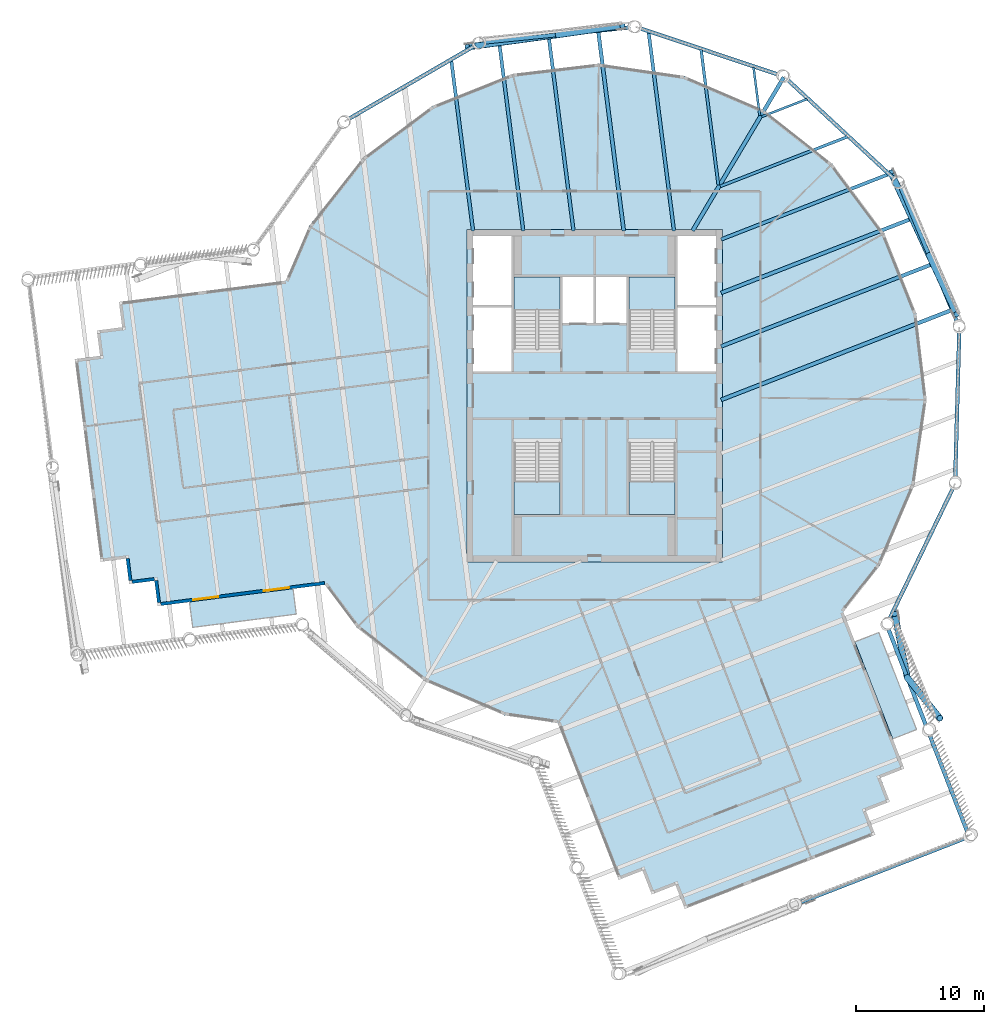
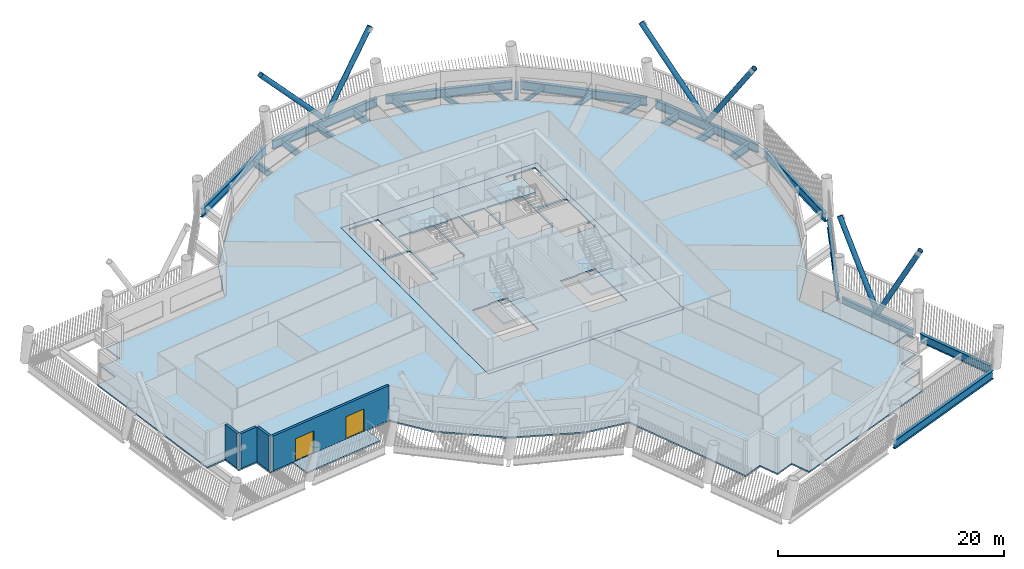
# One storey, part 2 of 20: 24 beams, 8 slabs, 6 members, 4 walls, 2 doors, 2 openings, 4 elements without a shape of their own.
"""IFC4 building model written with IfcOpenShell, lengths in metres."""

from ifc_helpers import new_model, si_unit, direction, frame, frame_2d, origin, origin_2d, place, context, subcontext, project, spatial, polyline, rectangle, hollow_circle, i_section, outline, extrude, material, layer, layer_set, material_profile, profile_set, type_object, element, fill, aggregate, save


model = new_model("IFC4")

# Units and contexts
model_context = context("Model", 3, precision=1e-05, world=origin(), true_north=direction((0.0, 1.0)))
body_context = subcontext(model_context, "Body", "Model", "MODEL_VIEW")
ifc_project = project(units=[si_unit("LENGTHUNIT", "METRE"), si_unit("AREAUNIT", "SQUARE_METRE"), si_unit("VOLUMEUNIT", "CUBIC_METRE"), si_unit("PLANEANGLEUNIT", "RADIAN"), si_unit("MASSUNIT", "GRAM", prefix="KILO")], contexts=[model_context])

# Site, building, storey
site_placement = place(None, origin())
site = spatial("IfcSite", under=ifc_project, at=site_placement, CompositionType="ELEMENT")
building_placement = place(site_placement, origin())
building = spatial("IfcBuilding", under=site, at=building_placement, Name="Tarsis Ring Headquarters", CompositionType="ELEMENT")
storey_placement = place(building_placement, frame((0.0, 0.0, 315.800048828125)))
storey = spatial("IfcBuildingStorey", under=building, at=storey_placement, Name="L74", CompositionType="ELEMENT", Elevation=315.800048828125)

# Beams
ifc_material_1 = material(Name="Structural steel S355", Category="steel")
ifc_material_profile_1 = material_profile(ifc_material_1, i_section(OverallWidth=0.177734375, OverallDepth=0.406494140625, WebThickness=0.0078125, FlangeThickness=0.0126953125, at=origin_2d()), Name="W16x40")
ifc_profile_set_1 = profile_set([ifc_material_profile_1], Name="Structural steel S355")
beam_type_1 = type_object("IfcBeamType", Name="FB Floor beam W16x40", PredefinedType="JOIST", material=ifc_profile_set_1)
beam_1_placement = place(storey_placement, frame((13.08544921875, 21.837890625, -0.36328125), z_axis=(0.931805856967, 0.362957084133, 0.0), x_axis=(-0.362957084133, 0.931805856967, 0.0)))
element("IfcBeam", 1, at=beam_1_placement, inside=storey, type_object=beam_type_1, Name="Floor beam FB1", PredefinedType="JOIST", context=body_context, shape_type="SweptSolid", body=[
    extrude(i_section(OverallWidth=0.177734375, OverallDepth=0.406494140625, WebThickness=0.0078125, FlangeThickness=0.0126953125, at=origin_2d()), origin(), (0.0, 0.0, 1.0), 3.80517578125),
])
beam_2_placement = place(storey_placement, frame((12.442626953125, 25.7080078125, -0.36328125), z_axis=(0.126711133056, -0.991939659838, 0.0), x_axis=(0.991939659838, 0.126711133056, 0.0)))
element("IfcBeam", 2, at=beam_2_placement, inside=storey, type_object=beam_type_1, Name="Floor beam FB1", PredefinedType="JOIST", context=body_context, shape_type="SweptSolid", body=[
    extrude(i_section(OverallWidth=0.177734375, OverallDepth=0.406494140625, WebThickness=0.0078125, FlangeThickness=0.0126953125, at=origin_2d()), origin(), (0.0, 0.0, 1.0), 3.805419921875),
])
ifc_material_profile_2 = material_profile(ifc_material_1, i_section(OverallWidth=0.228271484375, OverallDepth=0.607177734375, WebThickness=0.01123046875, FlangeThickness=0.017333984375, at=origin_2d()), Name="W24x76")
ifc_profile_set_2 = profile_set([ifc_material_profile_2], Name="Structural steel S355")
beam_type_2 = type_object("IfcBeamType", Name="FB Floor beam W24x76", PredefinedType="JOIST", material=ifc_profile_set_2)
for number, where, z_axis, x_axis, name in (
    (3, (9.849365234375, 16.392333984375, -0.463623046875), (0.931821451107, 0.362917047349, 0.0), (-0.362917047349, 0.931821451107, 0.0), "Floor beam FB4"),
    (4, (8.3349609375, 27.086181640625, -0.463623046875), (0.126700292366, -0.991941044576, 0.0), (0.991941044576, 0.126700292366, 0.0), "Floor beam FB4"),
):
    element("IfcBeam", number, at=place(storey_placement, frame(where, z_axis=z_axis, x_axis=x_axis)), inside=storey, type_object=beam_type_2, Name=name, PredefinedType="JOIST", context=body_context, shape_type="SweptSolid", body=[
        extrude(i_section(OverallWidth=0.228271484375, OverallDepth=0.607177734375, WebThickness=0.01123046875, FlangeThickness=0.017333984375, at=origin_2d()), origin(), (0.0, 0.0, 1.0), 10.684814453125),
    ])
ifc_material_profile_3 = material_profile(ifc_material_1, i_section(OverallWidth=0.2666015625, OverallDepth=0.7568359375, WebThickness=0.013916015625, FlangeThickness=0.019287109375, at=origin_2d()), Name="W30x108")
ifc_profile_set_3 = profile_set([ifc_material_profile_3], Name="Structural steel S355")
beam_type_3 = type_object("IfcBeamType", Name="FB Floor beam W30x108", PredefinedType="JOIST", material=ifc_profile_set_3)
beam_3_placement = place(storey_placement, frame((9.90673828125, 12.229248046875, -0.53857421875), z_axis=(0.931817749445, 0.36292655155, 0.0), x_axis=(-0.36292655155, 0.931817749445, 0.0)))
element("IfcBeam", 5, at=beam_3_placement, inside=storey, type_object=beam_type_3, Name="Floor beam FB6", PredefinedType="JOIST", context=body_context, shape_type="SweptSolid", body=[
    extrude(i_section(OverallWidth=0.2666015625, OverallDepth=0.7568359375, WebThickness=0.013916015625, FlangeThickness=0.019287109375, at=origin_2d()), origin(), (0.0, 0.0, 1.0), 14.02978515625),
])
beam_4_placement = place(storey_placement, frame((4.22705078125, 28.464599609375, -0.53857421875), z_axis=(0.126721143473, -0.991938381048, 0.0), x_axis=(0.991938381048, 0.126721143473, 0.0)))
element("IfcBeam", 6, at=beam_4_placement, inside=storey, type_object=beam_type_3, Name="Floor beam FB6", PredefinedType="JOIST", context=body_context, shape_type="SweptSolid", body=[
    extrude(i_section(OverallWidth=0.2666015625, OverallDepth=0.7568359375, WebThickness=0.013916015625, FlangeThickness=0.019287109375, at=origin_2d()), origin(), (0.0, 0.0, 1.0), 15.690185546875),
])
beam_5_placement = place(storey_placement, frame((-3.592529296875, 28.12158203125, -0.53857421875), z_axis=(0.126728817468, -0.991937400657, 0.0), x_axis=(0.991937400657, 0.126728817468, 0.0)))
element("IfcBeam", 7, at=beam_5_placement, inside=storey, type_object=beam_type_3, Name="Floor beam FB6", PredefinedType="JOIST", context=body_context, shape_type="SweptSolid", body=[
    extrude(i_section(OverallWidth=0.2666015625, OverallDepth=0.7568359375, WebThickness=0.013916015625, FlangeThickness=0.019287109375, at=origin_2d()), origin(), (0.0, 0.0, 1.0), 15.344482421875),
])
beam_6_placement = place(storey_placement, frame((-7.473876953125, 27.727783203125, -0.53857421875), z_axis=(0.126713953109, -0.991939299598, 0.0), x_axis=(0.991939299598, 0.126713953109, 0.0)))
element("IfcBeam", 8, at=beam_6_placement, inside=storey, type_object=beam_type_3, Name="Floor beam FB6", PredefinedType="JOIST", context=body_context, shape_type="SweptSolid", body=[
    extrude(i_section(OverallWidth=0.2666015625, OverallDepth=0.7568359375, WebThickness=0.013916015625, FlangeThickness=0.019287109375, at=origin_2d()), origin(), (0.0, 0.0, 1.0), 14.947509765625),
])
beam_7_placement = place(storey_placement, frame((-11.216796875, 26.249267578125, -0.53857421875), z_axis=(0.126724941967, -0.99193789578, 0.0), x_axis=(0.99193789578, 0.126724941967, 0.0)))
element("IfcBeam", 9, at=beam_7_placement, inside=storey, type_object=beam_type_3, Name="Floor beam FB6", PredefinedType="JOIST", context=body_context, shape_type="SweptSolid", body=[
    extrude(i_section(OverallWidth=0.2666015625, OverallDepth=0.7568359375, WebThickness=0.013916015625, FlangeThickness=0.019287109375, at=origin_2d()), origin(), (0.0, 0.0, 1.0), 13.456787109375),
])
ifc_material_profile_4 = material_profile(ifc_material_1, i_section(OverallWidth=0.2919921875, OverallDepth=0.835693359375, WebThickness=0.013916015625, FlangeThickness=0.018798828125, at=origin_2d()), Name="W33x118")
ifc_profile_set_4 = profile_set([ifc_material_profile_4], Name="Structural steel S355")
beam_type_4 = type_object("IfcBeamType", Name="FB Floor beam W33x118", PredefinedType="JOIST", material=ifc_profile_set_4)
beam_8_placement = place(storey_placement, frame((9.90673828125, 8.0439453125, -0.577880859375), z_axis=(0.931817559804, 0.362927038453, 0.0), x_axis=(-0.362927038453, 0.931817559804, 0.0)))
element("IfcBeam", 10, at=beam_8_placement, inside=storey, type_object=beam_type_4, Name="Floor beam FB7", PredefinedType="JOIST", context=body_context, shape_type="SweptSolid", body=[
    extrude(i_section(OverallWidth=0.2919921875, OverallDepth=0.835693359375, WebThickness=0.013916015625, FlangeThickness=0.018798828125, at=origin_2d()), origin(), (0.0, 0.0, 1.0), 16.098388671875),
])
beam_9_placement = place(storey_placement, frame((9.90673828125, 3.858642578125, -0.577880859375), z_axis=(0.931820180759, 0.362920309063, 0.0), x_axis=(-0.362920309063, 0.931820180759, 0.0)))
element("IfcBeam", 11, at=beam_9_placement, inside=storey, type_object=beam_type_4, Name="Floor beam FB7", PredefinedType="JOIST", context=body_context, shape_type="SweptSolid", body=[
    extrude(i_section(OverallWidth=0.2919921875, OverallDepth=0.835693359375, WebThickness=0.013916015625, FlangeThickness=0.018798828125, at=origin_2d()), origin(), (0.0, 0.0, 1.0), 17.718505859375),
])
beam_10_placement = place(storey_placement, frame((0.288818359375, 28.515380859375, -0.577880859375), z_axis=(0.126727671668, -0.991937547043, 0.0), x_axis=(0.991937547043, 0.126727671668, 0.0)))
element("IfcBeam", 12, at=beam_10_placement, inside=storey, type_object=beam_type_4, Name="Floor beam FB7", PredefinedType="JOIST", context=body_context, shape_type="SweptSolid", body=[
    extrude(i_section(OverallWidth=0.2919921875, OverallDepth=0.835693359375, WebThickness=0.013916015625, FlangeThickness=0.018798828125, at=origin_2d()), origin(), (0.0, 0.0, 1.0), 15.741455078125),
])
ifc_material_profile_5 = material_profile(ifc_material_1, i_section(OverallWidth=0.3046875, OverallDepth=0.904296875, WebThickness=0.01513671875, FlangeThickness=0.02001953125, at=origin_2d()), Name="W36x135")
ifc_profile_set_5 = profile_set([ifc_material_profile_5], Name="Structural steel S355")
beam_type_5 = type_object("IfcBeamType", Name="FB Floor beam W36x135", PredefinedType="JOIST", material=ifc_profile_set_5)
beam_11_placement = place(storey_placement, frame((9.90673828125, -0.326904296875, -0.612060546875), z_axis=(0.931816430386, 0.36292993823, 0.0), x_axis=(-0.36292993823, 0.931816430386, 0.0)))
element("IfcBeam", 13, at=beam_11_placement, inside=storey, type_object=beam_type_5, Name="Floor beam FB8", PredefinedType="JOIST", context=body_context, shape_type="SweptSolid", body=[
    extrude(i_section(OverallWidth=0.3046875, OverallDepth=0.904296875, WebThickness=0.01513671875, FlangeThickness=0.02001953125, at=origin_2d()), origin(), (0.0, 0.0, 1.0), 19.338623046875),
])
ifc_material_profile_6 = material_profile(ifc_material_1, i_section(OverallWidth=0.309814453125, OverallDepth=0.949951171875, WebThickness=0.0244140625, FlangeThickness=0.0439453125, at=origin_2d()), Name="W36x256")
ifc_profile_set_6 = profile_set([ifc_material_profile_6], Name="Structural steel S355")
beam_type_6 = type_object("IfcBeamType", Name="FB Floor beam W36x256 spine", PredefinedType="BEAM", material=ifc_profile_set_6)
beam_12_placement = place(storey_placement, frame((14.809326171875, 24.921875, -0.635009765625), z_axis=(-0.510848869399, -0.859670537261, 0.0), x_axis=(0.859670537261, -0.510848869399, 0.0)))
element("IfcBeam", 14, at=beam_12_placement, inside=storey, type_object=beam_type_6, Name="Floor beam SB11", PredefinedType="BEAM", context=body_context, shape_type="SweptSolid", body=[
    extrude(i_section(OverallWidth=0.309814453125, OverallDepth=0.949951171875, WebThickness=0.0244140625, FlangeThickness=0.0439453125, at=origin_2d()), origin(), (0.0, 0.0, 1.0), 13.968017578125),
])

# Members
ifc_material_profile_7 = material_profile(ifc_material_1, hollow_circle(Radius=0.25390625, WallThickness=0.02001953125, at=origin_2d()), Name="CHS 508x20")
ifc_profile_set_7 = profile_set([ifc_material_profile_7], Name="Structural steel S355")
member_type = type_object("IfcMemberType", Name="XD X brace CHS 508x20", PredefinedType="BRACE", material=ifc_profile_set_7)
member_1_placement = place(storey_placement, frame((24.477783203125, -22.067626953125, 0.0), z_axis=(-0.105250303763, 0.535848332761, 0.837728439194), x_axis=(-0.98125076646, -0.19273539717, 0.0)))
element("IfcMember", 15, at=member_1_placement, inside=storey, type_object=member_type, Name="X brace XD2", PredefinedType="BRACE", context=body_context, shape_type="SweptSolid", body=[
    extrude(hollow_circle(Radius=0.25390625, WallThickness=0.02001953125, at=origin_2d()), origin(), (0.0, 0.0, 1.0), 9.31103515625),
])
member_2_placement = place(storey_placement, frame((24.477783203125, -22.067626953125, 0.0), z_axis=(0.289683243744, -0.36166026572, 0.886163343009), x_axis=(0.780494919081, 0.625162124004, 0.0)))
element("IfcMember", 16, at=member_2_placement, inside=storey, type_object=member_type, Name="X brace XD2", PredefinedType="BRACE", context=body_context, shape_type="SweptSolid", body=[
    extrude(hollow_circle(Radius=0.25390625, WallThickness=0.02001953125, at=origin_2d()), origin(), (0.0, 0.0, 1.0), 8.802001953125),
])
member_3_placement = place(storey_placement, frame((26.183349609375, 10.98828125, 0.0), z_axis=(-0.282434222928, 0.614158926412, 0.736912289779), x_axis=(-0.908534751679, -0.41780929261, 0.0)))
element("IfcMember", 17, at=member_3_placement, inside=storey, type_object=member_type, Name="X brace XD2", PredefinedType="BRACE", context=body_context, shape_type="SweptSolid", body=[
    extrude(hollow_circle(Radius=0.25390625, WallThickness=0.02001953125, at=origin_2d()), origin(), (0.0, 0.0, 1.0), 10.584716796875),
])
member_4_placement = place(storey_placement, frame((26.183349609375, 10.98828125, 0.0), z_axis=(0.231561246087, -0.49533036581, 0.83727368167), x_axis=(0.90589763642, 0.423496720565, 0.0)))
element("IfcMember", 18, at=member_4_placement, inside=storey, type_object=member_type, Name="X brace XD2", PredefinedType="BRACE", context=body_context, shape_type="SweptSolid", body=[
    extrude(hollow_circle(Radius=0.25390625, WallThickness=0.02001953125, at=origin_2d()), origin(), (0.0, 0.0, 1.0), 9.31591796875),
])
member_5_placement = place(storey_placement, frame((-2.866455078125, 28.25048828125, 0.0), z_axis=(-0.669845926036, -0.090855104943, 0.736920474189), x_axis=(0.134405128961, -0.990926466146, 0.0)))
element("IfcMember", 19, at=member_5_placement, inside=storey, type_object=member_type, Name="X brace XD2", PredefinedType="BRACE", context=body_context, shape_type="SweptSolid", body=[
    extrude(hollow_circle(Radius=0.25390625, WallThickness=0.02001953125, at=origin_2d()), origin(), (0.0, 0.0, 1.0), 10.584716796875),
])
member_6_placement = place(storey_placement, frame((-2.866455078125, 28.25048828125, 0.0), z_axis=(0.541349601881, 0.076890145322, 0.837274455657), x_axis=(-0.140622818021, 0.990063241946, 0.0)))
element("IfcMember", 20, at=member_6_placement, inside=storey, type_object=member_type, Name="X brace XD2", PredefinedType="BRACE", context=body_context, shape_type="SweptSolid", body=[
    extrude(hollow_circle(Radius=0.25390625, WallThickness=0.02001953125, at=origin_2d()), origin(), (0.0, 0.0, 1.0), 9.31591796875),
])

# Beams
ifc_material_profile_8 = material_profile(ifc_material_1, i_section(OverallWidth=0.309814453125, OverallDepth=0.93212890625, WebThickness=0.02099609375, FlangeThickness=0.034423828125, at=origin_2d()), Name="W36x210")
ifc_profile_set_8 = profile_set([ifc_material_profile_8], Name="Structural steel S355")
beam_type_7 = type_object("IfcBeamType", Name="XG Ring girder W36x210", PredefinedType="BEAM", material=ifc_profile_set_8)
beam_13_placement = place(storey_placement, frame((15.93798828125, -39.72412109375, -0.466064453125), z_axis=(0.931821036503, 0.362918111881, 0.0), x_axis=(-0.362918111881, 0.931821036503, 0.0)))
element("IfcBeam", 21, at=beam_13_placement, inside=storey, type_object=beam_type_7, Name="Ring girder XG3", PredefinedType="BEAM", context=body_context, shape_type="SweptSolid", body=[
    extrude(i_section(OverallWidth=0.309814453125, OverallDepth=0.93212890625, WebThickness=0.02099609375, FlangeThickness=0.034423828125, at=origin_2d()), origin(), (0.0, 0.0, 1.0), 13.93115234375),
])
for number, where, z_axis, x_axis, name in (
    (22, (29.16650390625, -34.105712890625, -0.466064453125), (-0.362918442394, 0.931820907777, 0.0), (-0.931820907777, -0.362918442394, 0.0), "Ring girder XG3"),
    (23, (25.935546875, -25.810546875, -0.466064453125), (-0.362918442394, 0.931820907777, 0.0), (-0.931820907777, -0.362918442394, 0.0), "Ring girder XG3"),
):
    element("IfcBeam", number, at=place(storey_placement, frame(where, z_axis=z_axis, x_axis=x_axis)), inside=storey, type_object=beam_type_7, Name=name, PredefinedType="BEAM", context=body_context, shape_type="SweptSolid", body=[
        extrude(i_section(OverallWidth=0.309814453125, OverallDepth=0.93212890625, WebThickness=0.02099609375, FlangeThickness=0.034423828125, at=origin_2d()), origin(), (0.0, 0.0, 1.0), 8.033447265625),
    ])
for number, where, z_axis, x_axis, name in (
    (24, (23.05224609375, -17.529296875, -0.466064453125), (0.437110761461, 0.899407684098, 0.0), (-0.899407684098, 0.437110761461, 0.0), "Ring girder XG3"),
    (25, (28.228271484375, -6.468994140625, -0.466064453125), (0.027503273669, 0.999621713418, 0.0), (-0.999621713418, 0.027503273669, 0.0), "Ring girder XG3"),
):
    element("IfcBeam", number, at=place(storey_placement, frame(where, z_axis=z_axis, x_axis=x_axis)), inside=storey, type_object=beam_type_7, Name=name, PredefinedType="BEAM", context=body_context, shape_type="SweptSolid", body=[
        extrude(i_section(OverallWidth=0.309814453125, OverallDepth=0.93212890625, WebThickness=0.02099609375, FlangeThickness=0.034423828125, at=origin_2d()), origin(), (0.0, 0.0, 1.0), 11.380126953125),
    ])
for number, where, z_axis, x_axis, name in (
    (26, (28.38525390625, 5.741455078125, -0.466064453125), (-0.38696913869, 0.922092666548, 0.0), (-0.922092666548, -0.38696913869, 0.0), "Ring girder XG3"),
    (27, (23.4951171875, 16.93115234375, -0.466064453125), (-0.732639893308, 0.680616475508, 0.0), (-0.680616475508, -0.732639893308, 0.0), "Ring girder XG3"),
):
    element("IfcBeam", number, at=place(storey_placement, frame(where, z_axis=z_axis, x_axis=x_axis)), inside=storey, type_object=beam_type_7, Name=name, PredefinedType="BEAM", context=body_context, shape_type="SweptSolid", body=[
        extrude(i_section(OverallWidth=0.309814453125, OverallDepth=0.93212890625, WebThickness=0.02099609375, FlangeThickness=0.034423828125, at=origin_2d()), origin(), (0.0, 0.0, 1.0), 11.38037109375),
    ])
for number, where, z_axis, x_axis, name in (
    (28, (14.427490234375, 25.1103515625, -0.466064453125), (-0.948055006398, 0.318106436343, 0.0), (-0.318106436343, -0.948055006398, 0.0), "Ring girder XG3"),
    (29, (2.79443359375, 28.824951171875, -0.466064453125), (-0.994890627226, -0.100958604673, 0.0), (0.100958604673, -0.994890627226, 0.0), "Ring girder XG3"),
):
    element("IfcBeam", number, at=place(storey_placement, frame(where, z_axis=z_axis, x_axis=x_axis)), inside=storey, type_object=beam_type_7, Name=name, PredefinedType="BEAM", context=body_context, shape_type="SweptSolid", body=[
        extrude(i_section(OverallWidth=0.309814453125, OverallDepth=0.93212890625, WebThickness=0.02099609375, FlangeThickness=0.034423828125, at=origin_2d()), origin(), (0.0, 0.0, 1.0), 11.380126953125),
    ])
beam_14_placement = place(storey_placement, frame((-9.335205078125, 27.414306640625, -0.466064453125), z_axis=(-0.864831315123, -0.502062542302, 0.0), x_axis=(0.502062542302, -0.864831315123, 0.0)))
element("IfcBeam", 30, at=beam_14_placement, inside=storey, type_object=beam_type_7, Name="Ring girder XG3", PredefinedType="BEAM", context=body_context, shape_type="SweptSolid", body=[
    extrude(i_section(OverallWidth=0.309814453125, OverallDepth=0.93212890625, WebThickness=0.02099609375, FlangeThickness=0.034423828125, at=origin_2d()), origin(), (0.0, 0.0, 1.0), 11.38037109375),
])

# Slabs
ifc_material_2 = material(Name="Concrete C40/50", Category="concrete")
ifc_layer_1 = layer(ifc_material_2, 0.159912109375)
ifc_layer_set_1 = layer_set([ifc_layer_1], Name="Balcony slab concrete C40/50")
slab_type_1 = type_object("IfcSlabType", Name="Balcony slab concrete C40/50", PredefinedType="FLOOR", material=ifc_layer_set_1)
slab_1_placement = place(storey_placement, frame((0.0, 0.0, -0.16015625)))
element("IfcSlab", 31, at=slab_1_placement, inside=storey, type_object=slab_type_1, Name="Balcony slab L74-01", PredefinedType="FLOOR", context=body_context, shape_type="SweptSolid", body=[
    extrude(outline(polyline([(-31.709228515625, -16.1484375), (-31.455810546875, -18.13232421875), (-23.349853515625, -17.0966796875), (-23.603271484375, -15.11279296875), (-31.709228515625, -16.1484375)])), origin(), (0.0, 0.0, 1.0), 0.16015625),
])
slab_2_placement = place(storey_placement, frame((0.0, 0.0, -0.16015625)))
element("IfcSlab", 32, at=slab_2_placement, inside=storey, type_object=slab_type_1, Name="Balcony slab L74-16", PredefinedType="FLOOR", context=body_context, shape_type="SweptSolid", body=[
    extrude(outline(polyline([(23.33984375, -26.86083984375), (25.203369140625, -26.135009765625), (22.2451171875, -18.539306640625), (20.381591796875, -19.265380859375), (23.33984375, -26.86083984375)])), origin(), (0.0, 0.0, 1.0), 0.16015625),
])
ifc_layer_2 = layer(ifc_material_2, 0.159912109375)
ifc_layer_set_2 = layer_set([ifc_layer_2], Name="Core floor slab 160 C40/50")
slab_type_2 = type_object("IfcSlabType", Name="Core floor slab 160 C40/50", PredefinedType="FLOOR", material=ifc_layer_set_2)
slab_3_placement = place(storey_placement, frame((0.0, 0.0, -0.16015625)))
element("IfcSlab", 33, at=slab_3_placement, inside=storey, type_object=slab_type_2, Name="L74 core floor slab", PredefinedType="FLOOR", context=body_context, shape_type="SweptSolid", body=[
    extrude(outline(polyline([(-10.0, -13.0), (10.0, -13.0), (10.0, 13.0), (-10.0, 13.0), (-10.0, -13.0)]), holes=[polyline([(-2.5, 5.699951171875), (-0.10009765625, 5.699951171875), (-0.10009765625, 9.300048828125), (-2.5, 9.300048828125), (-2.5, 5.699951171875)]), polyline([(0.10009765625, 5.699951171875), (2.5, 5.699951171875), (2.5, 9.300048828125), (0.10009765625, 9.300048828125), (0.10009765625, 5.699951171875)]), polyline([(-9.5, 1.89990234375), (-6.5, 1.89990234375), (-6.5, 6.89990234375), (-9.5, 6.89990234375), (-9.5, 1.89990234375)]), polyline([(-9.5, 7.10009765625), (-6.5, 7.10009765625), (-6.5, 12.5), (-9.5, 12.5), (-9.5, 7.10009765625)]), polyline([(6.5, 1.89990234375), (9.5, 1.89990234375), (9.5, 6.89990234375), (6.5, 6.89990234375), (6.5, 1.89990234375)]), polyline([(6.5, 7.10009765625), (9.5, 7.10009765625), (9.5, 12.5), (6.5, 12.5), (6.5, 7.10009765625)]), polyline([(-2.699951171875, 3.760009765625), (-2.699951171875, 9.300048828125), (-6.300048828125, 9.300048828125), (-6.300048828125, 3.659912109375), (-4.4599609375, 3.659912109375), (-4.4599609375, 3.760009765625), (-2.699951171875, 3.760009765625)]), polyline([(6.300048828125, 3.760009765625), (6.300048828125, 9.300048828125), (2.699951171875, 9.300048828125), (2.699951171875, 3.659912109375), (4.5400390625, 3.659912109375), (4.5400390625, 3.760009765625), (6.300048828125, 3.760009765625)]), polyline([(-6.300048828125, -3.760009765625), (-6.300048828125, -9.300048828125), (-2.699951171875, -9.300048828125), (-2.699951171875, -3.659912109375), (-4.5400390625, -3.659912109375), (-4.5400390625, -3.760009765625), (-6.300048828125, -3.760009765625)]), polyline([(2.699951171875, -3.760009765625), (2.699951171875, -9.300048828125), (6.300048828125, -9.300048828125), (6.300048828125, -3.659912109375), (4.4599609375, -3.659912109375), (4.4599609375, -3.760009765625), (2.699951171875, -3.760009765625)])]), origin(), (0.0, 0.0, 1.0), 0.16015625),
])

# Stair, slab
ifc_material_3 = material(Name="Core stair 1760")
stair_type = type_object("IfcStairType", Name="Core stair 1760", PredefinedType="HALF_TURN_STAIR", material=ifc_material_3)
stair_1_placement = place(storey_placement, origin())
stair_1 = element("IfcStair", 34, at=stair_1_placement, inside=storey, type_object=stair_type, Name="L74 Firefighting stair", PredefinedType="HALF_TURN_STAIR")
ifc_layer_3 = layer(ifc_material_2, 0.199951171875)
ifc_layer_set_3 = layer_set([ifc_layer_3], Name="Core stair landing 200")
slab_type_3 = type_object("IfcSlabType", Name="Core stair landing 200", PredefinedType="LANDING", material=ifc_layer_set_3)
slab_4_placement = place(storey_placement, frame((0.0, 0.0, 1.75)))
slab_4 = element("IfcSlab", 35, at=slab_4_placement, type_object=slab_type_3, Name="Stair ST1 landing 1", PredefinedType="LANDING", context=body_context, shape_type="SweptSolid", body=[
    extrude(outline(polyline([(-2.699951171875, 6.739990234375), (-2.699951171875, 9.300048828125), (-6.300048828125, 9.300048828125), (-6.300048828125, 6.739990234375), (-2.699951171875, 6.739990234375)])), origin(), (0.0, 0.0, 1.0), 0.199951171875),
])
aggregate(stair_1, [slab_4])

stair_2_placement = place(storey_placement, origin())
stair_2 = element("IfcStair", 36, at=stair_2_placement, inside=storey, type_object=stair_type, Name="L74 Exit stair B", PredefinedType="HALF_TURN_STAIR")
slab_5_placement = place(storey_placement, frame((0.0, 0.0, 1.75)))
slab_5 = element("IfcSlab", 37, at=slab_5_placement, type_object=slab_type_3, Name="Stair ST2 landing 1", PredefinedType="LANDING", context=body_context, shape_type="SweptSolid", body=[
    extrude(outline(polyline([(6.300048828125, 6.739990234375), (6.300048828125, 9.300048828125), (2.699951171875, 9.300048828125), (2.699951171875, 6.739990234375), (6.300048828125, 6.739990234375)])), origin(), (0.0, 0.0, 1.0), 0.199951171875),
])
aggregate(stair_2, [slab_5])

stair_3_placement = place(storey_placement, origin())
stair_3 = element("IfcStair", 38, at=stair_3_placement, inside=storey, type_object=stair_type, Name="L74 Exit stair C", PredefinedType="HALF_TURN_STAIR")
slab_6_placement = place(storey_placement, frame((0.0, 0.0, 1.75)))
slab_6 = element("IfcSlab", 39, at=slab_6_placement, type_object=slab_type_3, Name="Stair ST3 landing 1", PredefinedType="LANDING", context=body_context, shape_type="SweptSolid", body=[
    extrude(outline(polyline([(-6.300048828125, -6.739990234375), (-6.300048828125, -9.300048828125), (-2.699951171875, -9.300048828125), (-2.699951171875, -6.739990234375), (-6.300048828125, -6.739990234375)])), origin(), (0.0, 0.0, 1.0), 0.199951171875),
])
aggregate(stair_3, [slab_6])

stair_4_placement = place(storey_placement, origin())
stair_4 = element("IfcStair", 40, at=stair_4_placement, inside=storey, type_object=stair_type, Name="L74 Exit stair D", PredefinedType="HALF_TURN_STAIR")
slab_7_placement = place(storey_placement, frame((0.0, 0.0, 1.75)))
slab_7 = element("IfcSlab", 41, at=slab_7_placement, type_object=slab_type_3, Name="Stair ST4 landing 1", PredefinedType="LANDING", context=body_context, shape_type="SweptSolid", body=[
    extrude(outline(polyline([(2.699951171875, -6.739990234375), (2.699951171875, -9.300048828125), (6.300048828125, -9.300048828125), (6.300048828125, -6.739990234375), (2.699951171875, -6.739990234375)])), origin(), (0.0, 0.0, 1.0), 0.199951171875),
])
aggregate(stair_4, [slab_7])

# Slab
ifc_material_4 = material(Name="Concrete C35/45", Category="concrete")
ifc_layer_4 = layer(ifc_material_4, 0.159912109375)
ifc_layer_set_4 = layer_set([ifc_layer_4], Name="FS Composite floor slab 160")
slab_type_4 = type_object("IfcSlabType", Name="FS Composite floor slab 160", PredefinedType="FLOOR", material=ifc_layer_set_4)
slab_8_placement = place(storey_placement, frame((0.0, 0.0, -0.16015625)))
element("IfcSlab", 42, at=slab_8_placement, inside=storey, type_object=slab_type_4, Name="Floor slab L74", PredefinedType="FLOOR", context=body_context, shape_type="SweptSolid", body=[
    extrude(outline(polyline([(-21.123291015625, -14.7958984375), (-18.6142578125, -18.15234375), (-13.281982421875, -22.3515625), (-7.04443359375, -25.027587890625), (-2.89697265625, -25.626708984375), (1.883544921875, -37.900634765625), (3.7470703125, -37.1748046875), (4.472900390625, -39.038330078125), (6.336669921875, -38.3125), (7.0625, -40.176025390625), (21.9716796875, -34.369384765625), (21.245849609375, -32.505615234375), (23.109375, -31.77978515625), (22.383544921875, -29.916259765625), (24.2470703125, -29.1904296875), (19.47412109375, -16.935791015625), (22.3515625, -13.281982421875), (25.027587890625, -7.04443359375), (25.998046875, -0.32666015625), (25.196533203125, 6.4130859375), (22.67822265625, 12.716064453125), (18.6142578125, 18.15234375), (13.281982421875, 22.3515625), (7.04443359375, 25.027587890625), (0.32666015625, 25.998046875), (-6.4130859375, 25.196533203125), (-12.716064453125, 22.67822265625), (-18.15234375, 18.6142578125), (-22.3515625, 13.281982421875), (-24.18505859375, 9.0078125), (-37.23046875, 7.34130859375), (-36.97705078125, 5.357421875), (-38.9609375, 5.10400390625), (-38.70751953125, 3.1201171875), (-40.69140625, 2.86669921875), (-38.663818359375, -13.004150390625), (-36.679931640625, -12.750732421875), (-36.426513671875, -14.734619140625), (-34.442626953125, -14.481201171875), (-34.189208984375, -16.465087890625), (-21.123291015625, -14.7958984375)]), holes=[polyline([(-10.0, -13.0), (-10.0, 13.0), (10.0, 13.0), (10.0, -13.0), (-10.0, -13.0)])]), origin(), (0.0, 0.0, 1.0), 0.16015625),
])

# Wall, openings, doors
ifc_material_5 = material(Name="Terracotta clad insulated panel wall", Category="masonry")
ifc_layer_5 = layer(ifc_material_5, 0.25)
ifc_layer_set_5 = layer_set([ifc_layer_5], Name="Facade wall terracotta panel 250")
wall_type = type_object("IfcWallType", Name="Facade wall terracotta panel 250", PredefinedType="STANDARD", material=ifc_layer_set_5)
wall_1_placement = place(storey_placement, frame((-33.95703125, -16.3095703125, 0.0), z_axis=(0.0, 0.0, 1.0), x_axis=(0.991938818587, 0.126717718492, 0.0)))
wall_1 = element("IfcWall", 43, at=wall_1_placement, inside=storey, type_object=wall_type, Name="External wall L74-01", PredefinedType="STANDARD", context=body_context, shape_type="SweptSolid", body=[
    extrude(rectangle(XDim=12.922119140625, YDim=0.25, at=frame_2d((6.4609375, 0.0))), origin(), (0.0, 0.0, 1.0), 3.739990234375),
])
opening_1_placement = place(wall_1_placement, frame((2.550048828125, 0.0, 0.0)))
opening_1 = element("IfcOpeningElement", 44, at=opening_1_placement, cuts=wall_1, Name="Opening L74-BD01", PredefinedType="OPENING", context=body_context, shape_type="SweptSolid", body=[
    extrude(rectangle(XDim=2.0, YDim=2.39990234375, at=frame_2d((1.0, 1.199951171875))), frame((0.0, 0.135009765625, 0.0), z_axis=(0.0, -1.0, 0.0), x_axis=(1.0, 0.0, 0.0)), (0.0, 0.0, 1.0), 0.27001953125),
])
opening_2_placement = place(wall_1_placement, frame((8.1220703125, 0.0, 0.0)))
opening_2 = element("IfcOpeningElement", 45, at=opening_2_placement, cuts=wall_1, Name="Opening L74-BD02", PredefinedType="OPENING", context=body_context, shape_type="SweptSolid", body=[
    extrude(rectangle(XDim=2.0, YDim=2.39990234375, at=frame_2d((1.0, 1.199951171875))), frame((0.0, 0.135009765625, 0.0), z_axis=(0.0, -1.0, 0.0), x_axis=(1.0, 0.0, 0.0)), (0.0, 0.0, 1.0), 0.27001953125),
])
ifc_material_6 = material(Name="Aluminium framed double glazing", Category="aluminium")
door_type = type_object("IfcDoorType", Name="Balcony sliding door 2000 x 2400", OperationType="SLIDING_TO_LEFT", PredefinedType="DOOR", material=ifc_material_6)
door_1_placement = place(opening_1_placement, origin())
door_1 = element("IfcDoor", 46, at=door_1_placement, inside=storey, type_object=door_type, Name="Door L74-BD01", OperationType="SINGLE_SWING_LEFT", OverallHeight=2.39990234375, OverallWidth=2.0, PredefinedType="DOOR", context=body_context, shape_type="SweptSolid", body=[
    extrude(rectangle(XDim=2.0, YDim=2.39990234375, at=frame_2d((1.0, 1.199951171875))), frame((0.0, 0.02490234375, 0.0), z_axis=(0.0, -1.0, 0.0), x_axis=(1.0, 0.0, 0.0)), (0.0, 0.0, 1.0), 0.050048828125),
])
fill(opening_1, door_1)
door_2_placement = place(opening_2_placement, origin())
door_2 = element("IfcDoor", 47, at=door_2_placement, inside=storey, type_object=door_type, Name="Door L74-BD02", OperationType="SINGLE_SWING_LEFT", OverallHeight=2.39990234375, OverallWidth=2.0, PredefinedType="DOOR", context=body_context, shape_type="SweptSolid", body=[
    extrude(rectangle(XDim=2.0, YDim=2.39990234375, at=frame_2d((1.0, 1.199951171875))), frame((0.0, 0.02490234375, 0.0), z_axis=(0.0, -1.0, 0.0), x_axis=(1.0, 0.0, 0.0)), (0.0, 0.0, 1.0), 0.050048828125),
])
fill(opening_2, door_2)

# Walls
wall_2_placement = place(storey_placement, frame((-36.555908203125, -12.73486328125, 0.0), z_axis=(0.0, 0.0, 1.0), x_axis=(0.126661090471, -0.991946051033, 0.0)))
element("IfcWall", 48, at=wall_2_placement, inside=storey, type_object=wall_type, Name="External wall L74-38", PredefinedType="STANDARD", context=body_context, shape_type="SweptSolid", body=[
    extrude(rectangle(XDim=1.750244140625, YDim=0.25, at=frame_2d((0.875, 0.0))), origin(), (0.0, 0.0, 1.0), 3.739990234375),
])
wall_3_placement = place(storey_placement, frame((-36.1943359375, -14.5791015625, 0.0), z_axis=(0.0, 0.0, 1.0), x_axis=(0.991926272417, 0.126815890524, 0.0)))
element("IfcWall", 49, at=wall_3_placement, inside=storey, type_object=wall_type, Name="External wall L74-39", PredefinedType="STANDARD", context=body_context, shape_type="SweptSolid", body=[
    extrude(rectangle(XDim=1.75, YDim=0.25, at=frame_2d((0.875, 0.0))), origin(), (0.0, 0.0, 1.0), 3.739990234375),
])
wall_4_placement = place(storey_placement, frame((-34.318603515625, -14.46533203125, 0.0), z_axis=(0.0, 0.0, 1.0), x_axis=(0.126661090471, -0.991946051033, 0.0)))
element("IfcWall", 50, at=wall_4_placement, inside=storey, type_object=wall_type, Name="External wall L74-40", PredefinedType="STANDARD", context=body_context, shape_type="SweptSolid", body=[
    extrude(rectangle(XDim=1.750244140625, YDim=0.25, at=frame_2d((0.875, 0.0))), origin(), (0.0, 0.0, 1.0), 3.739990234375),
])

save(model, "model.ifc")
